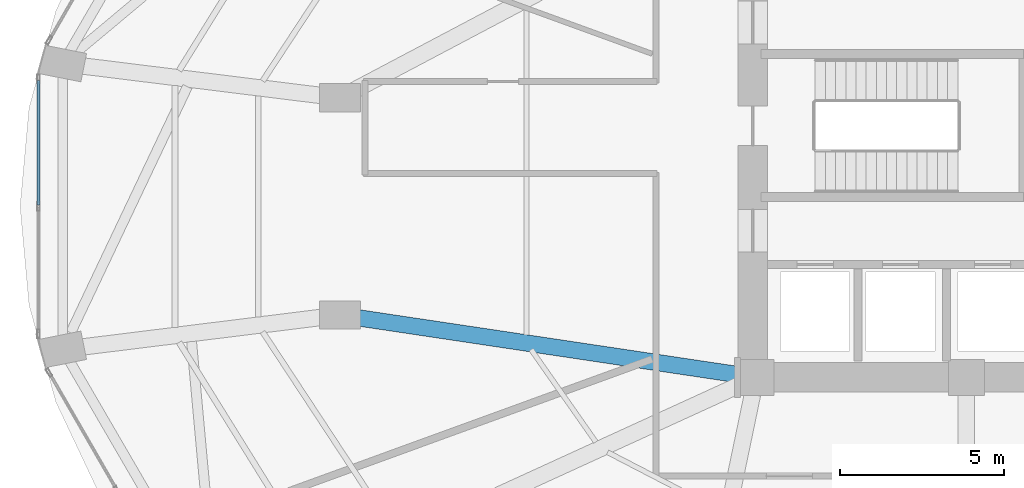
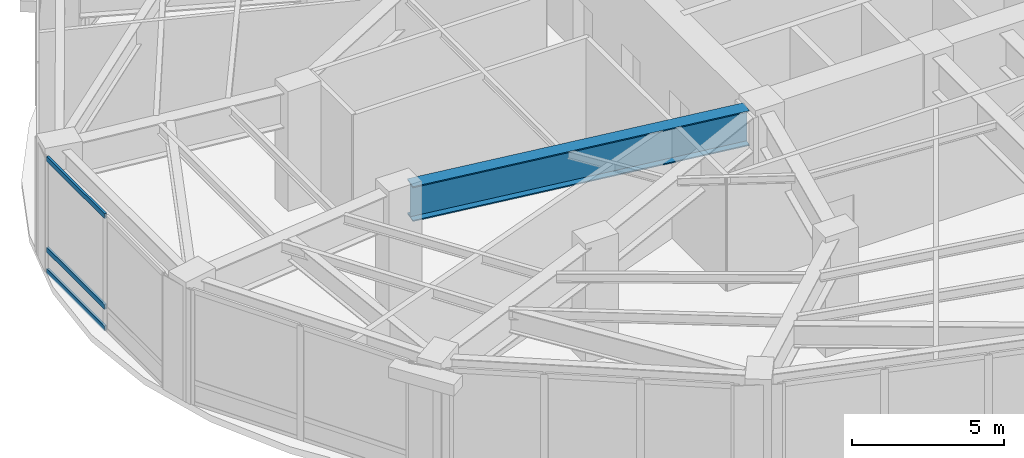
# One storey, part 7 of 24: 3 members, 1 beam, 1 element without a shape of its own.
"""IFC4 building model written with IfcOpenShell, lengths in metres."""

from ifc_helpers import new_model, si_unit, direction, frame, origin, origin_2d, place, context, subcontext, project, spatial, hollow_rectangle, i_section, extrude, material, layer, layer_set, material_profile, profile_set, type_object, element, aggregate, save


model = new_model("IFC4")

# Units and contexts
model_context = context("Model", 3, precision=1e-05, world=origin(), true_north=direction((0.0, 1.0)))
body_context = subcontext(model_context, "Body", "Model", "MODEL_VIEW")
ifc_project = project(units=[si_unit("LENGTHUNIT", "METRE"), si_unit("AREAUNIT", "SQUARE_METRE"), si_unit("VOLUMEUNIT", "CUBIC_METRE"), si_unit("PLANEANGLEUNIT", "RADIAN"), si_unit("MASSUNIT", "GRAM", prefix="KILO")], contexts=[model_context])

# Site, building, storey
site_placement = place(None, origin())
site = spatial("IfcSite", under=ifc_project, at=site_placement, CompositionType="ELEMENT")
building_placement = place(site_placement, origin())
building = spatial("IfcBuilding", under=site, at=building_placement, Name="Lazwardi Medical Tower", CompositionType="ELEMENT")
storey_placement = place(building_placement, frame((0.0, 0.0, 20.39990234375)))
storey = spatial("IfcBuildingStorey", under=building, at=storey_placement, Name="L04", CompositionType="ELEMENT", Elevation=20.39990234375)

# Beam
ifc_material_1 = material(Name="Steel S460", Category="steel")
ifc_material_profile_1 = material_profile(ifc_material_1, i_section(OverallWidth=0.5, OverallDepth=1.39990234375, WebThickness=0.028076171875, FlangeThickness=0.044921875, at=origin_2d()), Name="PG 1400x500")
ifc_profile_set_1 = profile_set([ifc_material_profile_1], Name="Steel S460")
beam_type = type_object("IfcBeamType", Name="BM-TG-01", PredefinedType="BEAM", material=ifc_profile_set_1)
beam_placement = place(storey_placement, frame((14.132568359375, 22.23486328125, 3.880126953125), z_axis=(0.988996622553, -0.147938097117, 0.0), x_axis=(0.147938097117, 0.988996622553, 0.0)))
element("IfcBeam", 1, at=beam_placement, inside=storey, type_object=beam_type, Name="Transfer girder TG-01 M13B L04", PredefinedType="BEAM", context=body_context, shape_type="SweptSolid", body=[
    extrude(i_section(OverallWidth=0.5, OverallDepth=1.39990234375, WebThickness=0.028076171875, FlangeThickness=0.044921875, at=origin_2d()), origin(), (0.0, 0.0, 1.0), 11.868896484375),
])

# Curtain wall, members
ifc_material_2 = material(Name="Anodised bronze aluminium and solar control glazing", Category="aluminium")
ifc_layer = layer(ifc_material_2, 0.219970703125)
ifc_layer_set = layer_set([ifc_layer], Name="Anodised bronze aluminium and solar control glazing")
curtain_wall_type = type_object("IfcCurtainWallType", Name="CW-SYS-01", PredefinedType="NOTDEFINED", material=ifc_layer_set)
curtain_wall_placement = place(storey_placement, origin())
curtain_wall = element("IfcCurtainWall", 2, at=curtain_wall_placement, inside=storey, type_object=curtain_wall_type, Name="L04 Unitised bronze curtain wall CW-01", PredefinedType="NOTDEFINED")
ifc_material_3 = material(Name="Anodised bronze aluminium", Category="aluminium")
ifc_material_profile_2 = material_profile(ifc_material_3, hollow_rectangle(XDim=0.0849609375, YDim=0.199951171875, WallThickness=0.00439453125, at=origin_2d()), Name="ALU-TRANSOM 200x85x4.5")
ifc_profile_set_2 = profile_set([ifc_material_profile_2], Name="Anodised bronze aluminium")
member_type = type_object("IfcMemberType", Name="CW-TRN-02", PredefinedType="USERDEFINED", material=ifc_profile_set_2)
member_1_placement = place(storey_placement, frame((4.560302734375, 29.43408203125, 0.04248046875), z_axis=(0.0, -1.0, 0.0), x_axis=(1.0, 0.0, 0.0)))
member_1 = element("IfcMember", 3, at=member_1_placement, type_object=member_type, Name="CW-01 transom 1.1", ObjectType="TRANSOM", PredefinedType="USERDEFINED", context=body_context, shape_type="SweptSolid", body=[
    extrude(hollow_rectangle(XDim=0.0849609375, YDim=0.199951171875, WallThickness=0.00439453125, at=origin_2d()), origin(), (0.0, 0.0, 1.0), 3.79150390625),
])
member_2_placement = place(storey_placement, frame((4.560302734375, 29.43408203125, 0.900146484375), z_axis=(0.0, -1.0, 0.0), x_axis=(1.0, 0.0, 0.0)))
member_2 = element("IfcMember", 4, at=member_2_placement, type_object=member_type, Name="CW-01 transom 1.2", ObjectType="TRANSOM", PredefinedType="USERDEFINED", context=body_context, shape_type="SweptSolid", body=[
    extrude(hollow_rectangle(XDim=0.0849609375, YDim=0.199951171875, WallThickness=0.00439453125, at=origin_2d()), origin(), (0.0, 0.0, 1.0), 3.79150390625),
])
member_3_placement = place(storey_placement, frame((4.560302734375, 29.43408203125, 4.53759765625), z_axis=(0.0, -1.0, 0.0), x_axis=(1.0, 0.0, 0.0)))
member_3 = element("IfcMember", 5, at=member_3_placement, type_object=member_type, Name="CW-01 transom 1.3", ObjectType="TRANSOM", PredefinedType="USERDEFINED", context=body_context, shape_type="SweptSolid", body=[
    extrude(hollow_rectangle(XDim=0.0849609375, YDim=0.199951171875, WallThickness=0.00439453125, at=origin_2d()), origin(), (0.0, 0.0, 1.0), 3.79150390625),
])
aggregate(curtain_wall, [member_1, member_2, member_3])

save(model, "model.ifc")
